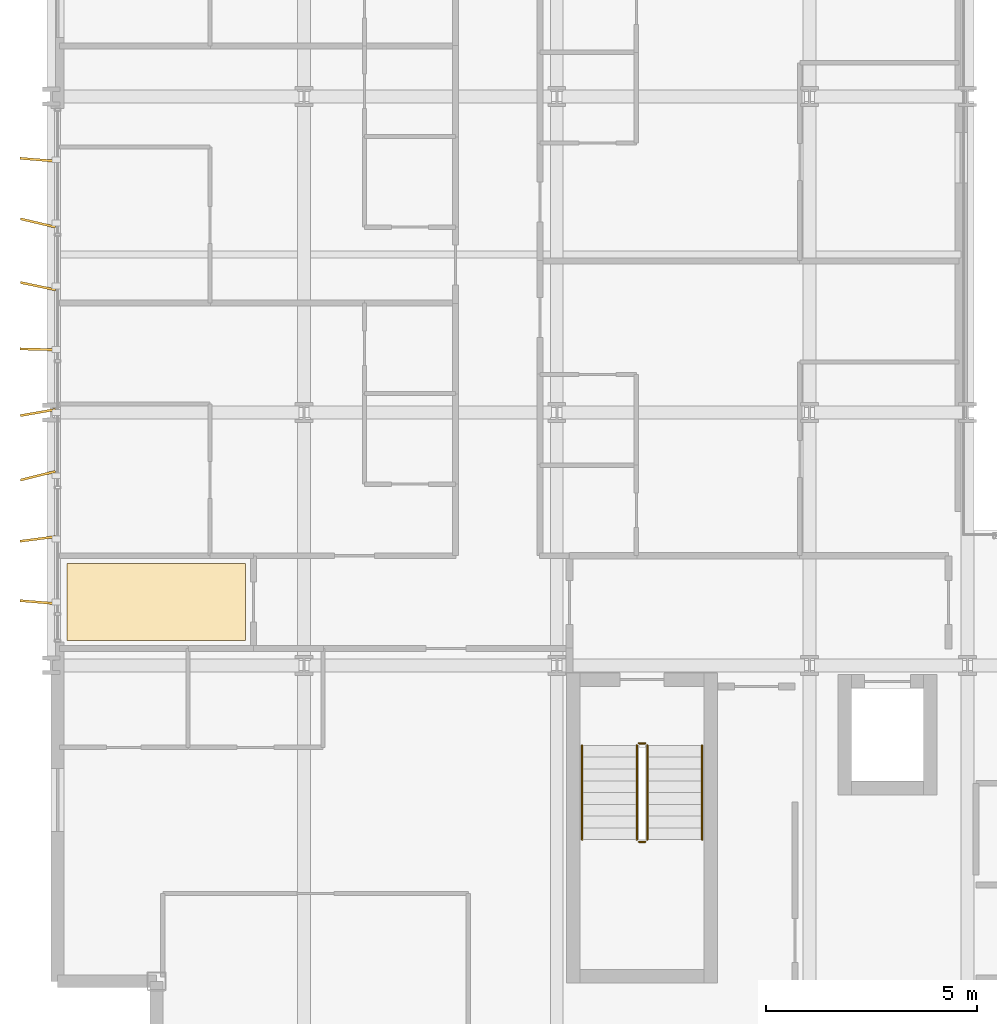
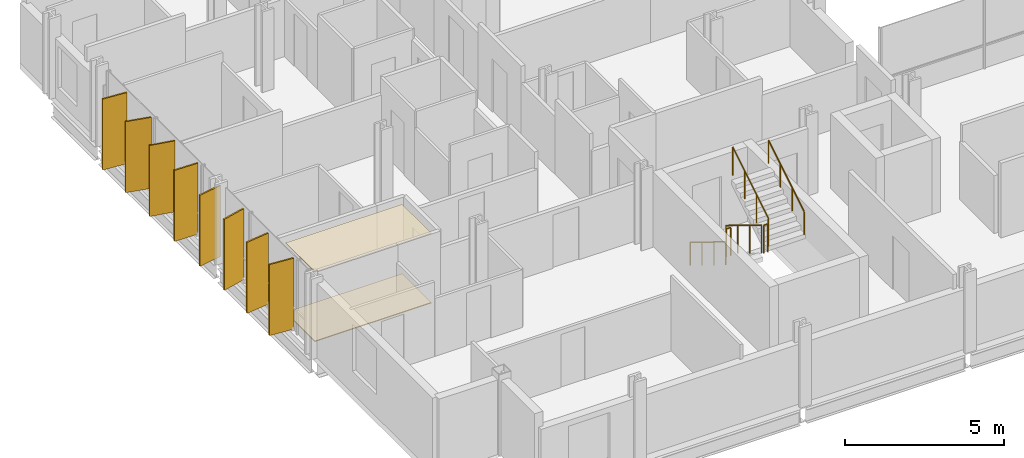
# One storey, part 36 of 39: 8 shading devices, 6 railings, 2 coverings.
"""IFC4 building model written with IfcOpenShell, lengths in metres."""

import ifcopenshell
import ifcopenshell.guid

model = None  # the IFC model being written
_history = None  # IfcOwnerHistory: only IFC2X3 demands one
_inside = {}  # id of a spatial element -> (the spatial element, [elements in it])
_under = {}  # id of a project, library or spatial element -> (it, [spatial elements below it])
_declared = {}  # id of a project -> (the project, [libraries it declares])
_typed = {}  # id of a type object -> (the type object, [elements of that type])
_made_of = {}  # id of a material, layer set ... -> (it, [elements and type objects made of it])


def new_model(schema):
    """Start an empty IFC model of exactly this schema.

    Asked for "IFC4X3", IfcOpenShell would pick the latest addendum, in which some entities
    have other attributes; the version numbers below select the first issue.
    IFC2X3 requires an IfcOwnerHistory on every rooted entity: one is made here for all.
    """
    global model, _history
    if schema == "IFC4X3":
        model = ifcopenshell.file(schema_version=(4, 3, 0, 0))
    else:
        model = ifcopenshell.file(schema=schema)
    _inside.clear()
    _under.clear()
    _declared.clear()
    _typed.clear()
    _made_of.clear()
    _history = None
    if model.schema == "IFC2X3":
        org = make("IfcOrganization", Name="unknown")
        user = make(
            "IfcPersonAndOrganization",
            ThePerson=make("IfcPerson", FamilyName="unknown"),
            TheOrganization=org,
        )
        app = make(
            "IfcApplication",
            ApplicationDeveloper=org,
            Version="unknown",
            ApplicationFullName="unknown",
            ApplicationIdentifier="unknown",
        )
        _history = make(
            "IfcOwnerHistory",
            OwningUser=user,
            OwningApplication=app,
            ChangeAction="ADDED",
            CreationDate=0,
        )
    return model


def make(cls, **values):
    """One entity of the class cls with the attributes given. An attribute that is None is left unset."""
    return model.create_entity(
        cls, **{name: value for name, value in values.items() if value is not None}
    )


def rooted(cls, **values):
    """An entity with a GlobalId (a new one), such as an element, a storey or a relation."""
    return make(cls, GlobalId=ifcopenshell.guid.new(), OwnerHistory=_history, **values)


def si_unit(unit_type, name, prefix=None):
    """IfcSIUnit, for example si_unit("LENGTHUNIT", "METRE", prefix="MILLI")."""
    return make("IfcSIUnit", UnitType=unit_type, Prefix=prefix, Name=name)


def assignment(units):
    """IfcUnitAssignment: the units of a project."""
    return None if units is None else make("IfcUnitAssignment", Units=units)


def point(xyz):
    """IfcCartesianPoint."""
    return None if xyz is None else make("IfcCartesianPoint", Coordinates=xyz)


def direction(xyz):
    """IfcDirection."""
    return None if xyz is None else make("IfcDirection", DirectionRatios=xyz)


def frame(location, z_axis=None, x_axis=None):
    """IfcAxis2Placement3D, a coordinate frame: its origin and axes. An axis left out is left unset."""
    return make(
        "IfcAxis2Placement3D",
        Location=point(location),
        Axis=direction(z_axis),
        RefDirection=direction(x_axis),
    )


def frame_2d(location, x_axis=None):
    """IfcAxis2Placement2D, a coordinate frame in the plane: its origin and x axis."""
    return make(
        "IfcAxis2Placement2D", Location=point(location), RefDirection=direction(x_axis)
    )


def origin():
    """The frame at (0, 0, 0) with its axes left unset."""
    return frame((0.0, 0.0, 0.0))


def origin_2d():
    """The frame at (0, 0) in the plane with its x axis left unset."""
    return frame_2d((0.0, 0.0))


def place(relative_to, where):
    """IfcLocalPlacement: puts the frame where relative to a parent placement (None: the world)."""
    return make(
        "IfcLocalPlacement", PlacementRelTo=relative_to, RelativePlacement=where
    )


def context(
    kind, dimensions, precision=None, world=None, true_north=None, identifier=None
):
    """IfcGeometricRepresentationContext, for example the 3D "Model" context."""
    return make(
        "IfcGeometricRepresentationContext",
        ContextIdentifier=identifier,
        ContextType=kind,
        CoordinateSpaceDimension=dimensions,
        Precision=precision,
        WorldCoordinateSystem=world,
        TrueNorth=true_north,
    )


def subcontext(parent, identifier, kind, view, scale=None):
    """IfcGeometricRepresentationSubContext, for example "Body" below "Model"."""
    return make(
        "IfcGeometricRepresentationSubContext",
        ContextIdentifier=identifier,
        ContextType=kind,
        ParentContext=parent,
        TargetScale=scale,
        TargetView=view,
    )


def project(units=None, contexts=None):
    """IfcProject with its units and contexts."""
    return rooted(
        "IfcProject",
        Name="project",
        RepresentationContexts=contexts,
        UnitsInContext=assignment(units),
    )


def spatial(cls, under=None, at=None, **own):
    """A site, building, storey or space (cls), placed at a placement, below another one or the project."""
    s = rooted(cls, ObjectPlacement=at, **own)
    if under is not None:
        _under.setdefault(under.id(), (under, []))[1].append(s)
    return s


def polyline(points):
    """IfcPolyline through the points."""
    return make("IfcPolyline", Points=[point(p) for p in points])


def profile(cls, at=None, kind="AREA", **sizes):
    """A parametric profile (cls). Its sizes go by their IFC names, for example OverallWidth=200.0."""
    return make(cls, ProfileType=kind, Position=at, **sizes)


def rectangle(**sizes):
    """IfcRectangleProfileDef."""
    return profile("IfcRectangleProfileDef", **sizes)


def circle(**sizes):
    """IfcCircleProfileDef."""
    return profile("IfcCircleProfileDef", **sizes)


def outline(outer, holes=None, kind="AREA"):
    """IfcArbitraryClosedProfileDef: a profile drawn as a closed curve; with holes, ...WithVoids."""
    if holes is None:
        return make("IfcArbitraryClosedProfileDef", ProfileType=kind, OuterCurve=outer)
    return make(
        "IfcArbitraryProfileDefWithVoids",
        ProfileType=kind,
        OuterCurve=outer,
        InnerCurves=holes,
    )


def extrude(swept, where, along, depth):
    """IfcExtrudedAreaSolid: the profile swept, set in the frame where, extruded along a direction by depth."""
    return make(
        "IfcExtrudedAreaSolid",
        SweptArea=swept,
        Position=where,
        ExtrudedDirection=direction(along),
        Depth=depth,
    )


def shape(context_of_items, identifier, shape_type, items):
    """IfcShapeRepresentation: the items that make up one representation, for example the "Body"."""
    return make(
        "IfcShapeRepresentation",
        ContextOfItems=context_of_items,
        RepresentationIdentifier=identifier,
        RepresentationType=shape_type,
        Items=items,
    )


def material(Name=None, Category=None):
    """IfcMaterial."""
    return make("IfcMaterial", Name=Name, Category=Category)


def layer(
    of_material, thickness, ventilated=None, Name=None, Category=None, Priority=None
):
    """IfcMaterialLayer: one layer of a wall or slab, of a material (None: an air gap)."""
    return make(
        "IfcMaterialLayer",
        Material=of_material,
        LayerThickness=thickness,
        IsVentilated=ventilated,
        Name=Name,
        Category=Category,
        Priority=Priority,
    )


def layer_set(layers, Name=None):
    """IfcMaterialLayerSet."""
    return make("IfcMaterialLayerSet", MaterialLayers=layers, LayerSetName=Name)


def made_of(thing, what):
    """Note that an element or type object is made of a material, layer set ...; save() writes the relation."""
    if what is not None:
        _made_of.setdefault(what.id(), (what, []))[1].append(thing)
    return thing


def type_object(cls, material=None, **own):
    """A type object (cls), such as IfcWallType, which elements share."""
    return made_of(rooted(cls, **own), material)


def element(
    cls,
    number,
    at=None,
    inside=None,
    cuts=None,
    type_object=None,
    material=None,
    context=None,
    identifier="Body",
    shape_type=None,
    held_by="IfcProductDefinitionShape",
    body=None,
    shapes=None,
    **own,
):
    """One element of the class cls, such as IfcWall. Its Tag is "e" and its number.

    at: its placement. inside: the storey or other place that contains it. cuts: it is an
    opening in that element (IfcRelVoidsElement). A single representation is given by context,
    identifier, shape_type and body (its items); several are given by shapes. held_by: the class
    of the entity that holds the representations. save() writes the other relations.
    """
    e = rooted(cls, Tag="e%d" % number, ObjectPlacement=at, **own)
    if body is not None:
        shapes = [shape(context, identifier, shape_type, body)]
    if shapes is not None:
        e.Representation = make(held_by, Representations=shapes)
    if inside is not None:
        _inside.setdefault(inside.id(), (inside, []))[1].append(e)
    if cuts is not None:
        rooted(
            "IfcRelVoidsElement", RelatingBuildingElement=cuts, RelatedOpeningElement=e
        )
    if type_object is not None:
        _typed.setdefault(type_object.id(), (type_object, []))[1].append(e)
    return made_of(e, material)


def aggregate(whole, parts):
    """IfcRelAggregates: a whole, such as a stair, and the parts it consists of."""
    return rooted("IfcRelAggregates", RelatingObject=whole, RelatedObjects=parts)


def save(model, path):
    """Write the relations noted so far, then the file.

    IfcRelAggregates (storeys below a building ...), IfcRelContainedInSpatialStructure (elements
    in a storey), IfcRelDefinesByType, IfcRelAssociatesMaterial and IfcRelDeclares: one each for
    every whole, place, type object, material and project.
    """
    for whole, parts in _under.values():
        aggregate(whole, parts)
    for where, things in _inside.values():
        rooted(
            "IfcRelContainedInSpatialStructure",
            RelatedElements=things,
            RelatingStructure=where,
        )
    for kind, things in _typed.values():
        rooted("IfcRelDefinesByType", RelatedObjects=things, RelatingType=kind)
    for what, things in _made_of.values():
        rooted("IfcRelAssociatesMaterial", RelatedObjects=things, RelatingMaterial=what)
    for by, libraries in _declared.values():
        rooted("IfcRelDeclares", RelatingContext=by, RelatedDefinitions=libraries)
    model.write(path)


model = new_model("IFC4")

# Units and contexts
model_context = context("Model", 3, precision=1e-05, world=origin(), true_north=direction((0.0, 1.0)))
body_context = subcontext(model_context, "Body", "Model", "MODEL_VIEW")
ifc_project = project(units=[si_unit("LENGTHUNIT", "METRE"), si_unit("AREAUNIT", "SQUARE_METRE"), si_unit("VOLUMEUNIT", "CUBIC_METRE"), si_unit("PLANEANGLEUNIT", "RADIAN"), si_unit("MASSUNIT", "GRAM", prefix="KILO")], contexts=[model_context])

# Site, building, storey
site_placement = place(None, origin())
site = spatial("IfcSite", under=ifc_project, at=site_placement, CompositionType="ELEMENT")
building_placement = place(site_placement, origin())
building = spatial("IfcBuilding", under=site, at=building_placement, Name="Brevholm Reach", CompositionType="ELEMENT")
storey_placement = place(building_placement, frame((0.0, 0.0, 34.199951171875)))
storey = spatial("IfcBuildingStorey", under=building, at=storey_placement, Name="L08", CompositionType="ELEMENT", Elevation=34.199951171875)

# Coverings
ifc_material_1 = material(Name="Moisture-Resistant Skimmed Gypsum Plasterboard Ceiling", Category="gypsum")
ifc_layer_1 = layer(ifc_material_1, 0.030029296875)
ifc_layer_set_1 = layer_set([ifc_layer_1], Name="Moisture-Resistant Skimmed Gypsum Plasterboard Ceiling")
covering_type_1 = type_object("IfcCoveringType", Name="COV-CLG-GYP", PredefinedType="CEILING", material=ifc_layer_set_1)
covering_1_placement = place(storey_placement, frame((0.0, 0.0, 2.670166015625)))
element("IfcCovering", 1, at=covering_1_placement, inside=storey, type_object=covering_type_1, Name="L08 Suspended Ceiling L08-29", PredefinedType="CEILING", context=body_context, shape_type="SweptSolid", body=[
    extrude(outline(polyline([(0.3798828125, 12.419921875), (4.615966796875, 12.419921875), (4.615966796875, 10.583984375), (0.3798828125, 10.583984375), (0.3798828125, 12.419921875)])), origin(), (0.0, 0.0, 1.0), 0.02978515625),
])
ifc_material_2 = material(Name="Honed Portland-Aggregate Resin Terrazzo Flooring", Category="concrete")
ifc_layer_2 = layer(ifc_material_2, 0.031982421875)
ifc_layer_set_2 = layer_set([ifc_layer_2], Name="Honed Portland-Aggregate Resin Terrazzo Flooring")
covering_type_2 = type_object("IfcCoveringType", Name="COV-FLR-TRZ", PredefinedType="FLOORING", material=ifc_layer_set_2)
covering_2_placement = place(storey_placement, origin())
element("IfcCovering", 2, at=covering_2_placement, inside=storey, type_object=covering_type_2, Name="L08 Floor Finish L08-29", PredefinedType="FLOORING", context=body_context, shape_type="SweptSolid", body=[
    extrude(outline(polyline([(0.3798828125, 12.419921875), (4.615966796875, 12.419921875), (4.615966796875, 10.583984375), (0.3798828125, 10.583984375), (0.3798828125, 12.419921875)])), origin(), (0.0, 0.0, 1.0), 0.031982421875),
])

# Railings
ifc_material_3 = material(Name="Brushed Stainless Steel EN 1.4401 Continuous Handrail", Category="steel")
railing_type_1 = type_object("IfcRailingType", Name="RAL-HND-950", PredefinedType="HANDRAIL", material=ifc_material_3)
railing_1_placement = place(storey_placement, frame((12.60009765625, 8.10009765625, 0.17236328125)))
element("IfcRailing", 3, at=railing_1_placement, inside=storey, type_object=railing_type_1, Name="L08 ST-1 stair handrail 1", PredefinedType="HANDRAIL", context=body_context, shape_type="SweptSolid", body=[
    extrude(circle(Radius=0.02392578125, at=origin_2d()), frame((0.0, 0.0, 0.8857421875), z_axis=(0.0, -0.85178898068, 0.523885037382), x_axis=(1.0, 0.0, 0.0)), (0.0, 0.0, 1.0), 2.629638671875),
    extrude(circle(Radius=0.02099609375, at=origin_2d()), origin(), (0.0, 0.0, 1.0), 0.86181640625),
    extrude(circle(Radius=0.02099609375, at=origin_2d()), frame((0.0, -0.74658203125, 0.459228515625)), (0.0, 0.0, 1.0), 0.86181640625),
    extrude(circle(Radius=0.02099609375, at=origin_2d()), frame((0.0, -1.493408203125, 0.91845703125)), (0.0, 0.0, 1.0), 0.86181640625),
    extrude(circle(Radius=0.02099609375, at=origin_2d()), frame((0.0, -2.239990234375, 1.377685546875)), (0.0, 0.0, 1.0), 0.86181640625),
])
railing_2_placement = place(storey_placement, frame((15.449951171875, 5.860107421875, 1.72216796875)))
element("IfcRailing", 4, at=railing_2_placement, inside=storey, type_object=railing_type_1, Name="L08 ST-1 stair handrail 2", PredefinedType="HANDRAIL", context=body_context, shape_type="SweptSolid", body=[
    extrude(circle(Radius=0.02392578125, at=origin_2d()), frame((0.0, 0.0, 0.8857421875), z_axis=(0.0, 0.851747552033, 0.523952390591), x_axis=(-1.0, 0.0, 0.0)), (0.0, 0.0, 1.0), 2.6298828125),
    extrude(circle(Radius=0.02099609375, at=origin_2d()), origin(), (0.0, 0.0, 1.0), 0.86181640625),
    extrude(circle(Radius=0.02099609375, at=origin_2d()), frame((0.0, 0.74658203125, 0.459228515625)), (0.0, 0.0, 1.0), 0.86181640625),
    extrude(circle(Radius=0.02099609375, at=origin_2d()), frame((0.0, 1.493408203125, 0.918701171875)), (0.0, 0.0, 1.0), 0.86181640625),
    extrude(circle(Radius=0.02099609375, at=origin_2d()), frame((0.0, 2.239990234375, 1.3779296875)), (0.0, 0.0, 1.0), 0.86181640625),
])
ifc_material_4 = material(Name="Painted Tubular Galvanised Steel S275JR Stair Guard", Category="steel")
railing_type_2 = type_object("IfcRailingType", Name="RAL-STG-1120", PredefinedType="BALUSTRADE", material=ifc_material_4)
railing_3_placement = place(storey_placement, frame((13.89990234375, 8.10009765625, 0.17236328125)))
element("IfcRailing", 5, at=railing_3_placement, inside=storey, type_object=railing_type_2, Name="L08 ST-1 stair guard 1", PredefinedType="BALUSTRADE", context=body_context, shape_type="SweptSolid", body=[
    extrude(circle(Radius=0.02392578125, at=origin_2d()), frame((0.0, 0.0, 1.076171875), z_axis=(0.0, -0.85178898068, 0.523885037382), x_axis=(1.0, 0.0, 0.0)), (0.0, 0.0, 1.0), 2.629638671875),
    extrude(circle(Radius=0.02099609375, at=origin_2d()), origin(), (0.0, 0.0, 1.0), 1.052001953125),
    extrude(circle(Radius=0.02099609375, at=origin_2d()), frame((0.0, -0.74658203125, 0.459228515625)), (0.0, 0.0, 1.0), 1.052001953125),
    extrude(circle(Radius=0.02099609375, at=origin_2d()), frame((0.0, -1.493408203125, 0.91845703125)), (0.0, 0.0, 1.0), 1.052001953125),
    extrude(circle(Radius=0.02099609375, at=origin_2d()), frame((0.0, -2.239990234375, 1.377685546875)), (0.0, 0.0, 1.0), 1.052001953125),
])
railing_4_placement = place(storey_placement, frame((13.949951171875, 5.81005859375, 1.550048828125)))
element("IfcRailing", 6, at=railing_4_placement, inside=storey, type_object=railing_type_2, Name="L08 ST-1 stair guard 2", PredefinedType="BALUSTRADE", context=body_context, shape_type="SweptSolid", body=[
    extrude(circle(Radius=0.02392578125, at=origin_2d()), frame((0.0, 0.0, 1.076171875), z_axis=(1.0, 0.0, 0.0), x_axis=(0.0, 1.0, 0.0)), (0.0, 0.0, 1.0), 0.150146484375),
    extrude(circle(Radius=0.02099609375, at=origin_2d()), origin(), (0.0, 0.0, 1.0), 1.052001953125),
    extrude(circle(Radius=0.02099609375, at=origin_2d()), frame((0.150146484375, 0.0, 0.0)), (0.0, 0.0, 1.0), 1.052001953125),
])
railing_5_placement = place(storey_placement, frame((14.14990234375, 5.860107421875, 1.72216796875)))
element("IfcRailing", 7, at=railing_5_placement, inside=storey, type_object=railing_type_2, Name="L08 ST-1 stair guard 3", PredefinedType="BALUSTRADE", context=body_context, shape_type="SweptSolid", body=[
    extrude(circle(Radius=0.02392578125, at=origin_2d()), frame((0.0, 0.0, 1.076171875), z_axis=(0.0, 0.851747552033, 0.523952390591), x_axis=(-1.0, 0.0, 0.0)), (0.0, 0.0, 1.0), 2.6298828125),
    extrude(circle(Radius=0.02099609375, at=origin_2d()), origin(), (0.0, 0.0, 1.0), 1.052001953125),
    extrude(circle(Radius=0.02099609375, at=origin_2d()), frame((0.0, 0.74658203125, 0.459228515625)), (0.0, 0.0, 1.0), 1.052001953125),
    extrude(circle(Radius=0.02099609375, at=origin_2d()), frame((0.0, 1.493408203125, 0.918701171875)), (0.0, 0.0, 1.0), 1.052001953125),
    extrude(circle(Radius=0.02099609375, at=origin_2d()), frame((0.0, 2.239990234375, 1.3779296875)), (0.0, 0.0, 1.0), 1.052001953125),
])
railing_6_placement = place(storey_placement, frame((13.949951171875, 8.14990234375, 0.0)))
element("IfcRailing", 8, at=railing_6_placement, inside=storey, type_object=railing_type_2, Name="L08 ST-1 stair guard 4", PredefinedType="BALUSTRADE", context=body_context, shape_type="SweptSolid", body=[
    extrude(circle(Radius=0.02392578125, at=origin_2d()), frame((0.0, 0.0, 1.076171875), z_axis=(1.0, 0.0, 0.0), x_axis=(0.0, 1.0, 0.0)), (0.0, 0.0, 1.0), 0.150146484375),
    extrude(circle(Radius=0.02099609375, at=origin_2d()), origin(), (0.0, 0.0, 1.0), 1.052001953125),
    extrude(circle(Radius=0.02099609375, at=origin_2d()), frame((0.150146484375, 0.0, 0.0)), (0.0, 0.0, 1.0), 1.052001953125),
])

# Shading devices
ifc_material_5 = material(Name="Perforated Champagne-Bronze Anodised Aluminium", Category="aluminium")
ifc_layer_3 = layer(ifc_material_5, 0.054931640625)
ifc_layer_set_3 = layer_set([ifc_layer_3], Name="Perforated Champagne-Bronze Anodised Aluminium")
shading_device_type = type_object("IfcShadingDeviceType", Name="SHD-FIN-850", PredefinedType="USERDEFINED", material=ifc_layer_set_3)
for number, where, z_axis, x_axis, name in (
    (9, (-0.31494140625, 11.5, 0.070068359375), (0.0, 0.0, 1.0), (-0.996651672606, 0.081764561344, 0.0), "L08 Perforated Solar Screen Fin 1"),
    (10, (-0.31494140625, 13.0, 0.070068359375), (0.0, 0.0, 1.0), (-0.991695871087, -0.128605207009, 0.0), "L08 Perforated Solar Screen Fin 2"),
    (11, (-0.31494140625, 14.5, 0.070068359375), (0.0, 0.0, 1.0), (-0.970699708131, -0.240295810687, 0.0), "L08 Perforated Solar Screen Fin 3"),
    (12, (-0.31494140625, 16.0, 0.070068359375), (0.0, 0.0, 1.0), (-0.98496193021, -0.172771513964, 0.0), "L08 Perforated Solar Screen Fin 4"),
    (13, (-0.31494140625, 17.5, 0.070068359375), (0.0, 0.0, 1.0), (-0.999658238114, 0.026142053669, 0.0), "L08 Perforated Solar Screen Fin 5"),
    (14, (-0.31494140625, 19.0, 0.070068359375), (0.0, 0.0, 1.0), (-0.978806670476, 0.204786478637, 0.0), "L08 Perforated Solar Screen Fin 6"),
    (15, (-0.31494140625, 20.5, 0.070068359375), (0.0, 0.0, 1.0), (-0.973431237324, 0.228979532277, 0.0), "L08 Perforated Solar Screen Fin 7"),
    (16, (-0.31494140625, 22.0, 0.070068359375), (0.0, 0.0, 1.0), (-0.996651672606, 0.081764561344, 0.0), "L08 Perforated Solar Screen Fin 8"),
):
    element("IfcShadingDevice", number, at=place(storey_placement, frame(where, z_axis=z_axis, x_axis=x_axis)), inside=storey, type_object=shading_device_type, Name=name, ObjectType="SCREEN", PredefinedType="USERDEFINED", context=body_context, shape_type="SweptSolid", body=[
        extrude(rectangle(XDim=0.85009765625, YDim=0.054931640625, at=origin_2d()), origin(), (0.0, 0.0, 1.0), 2.72998046875),
    ])

save(model, "model.ifc")
